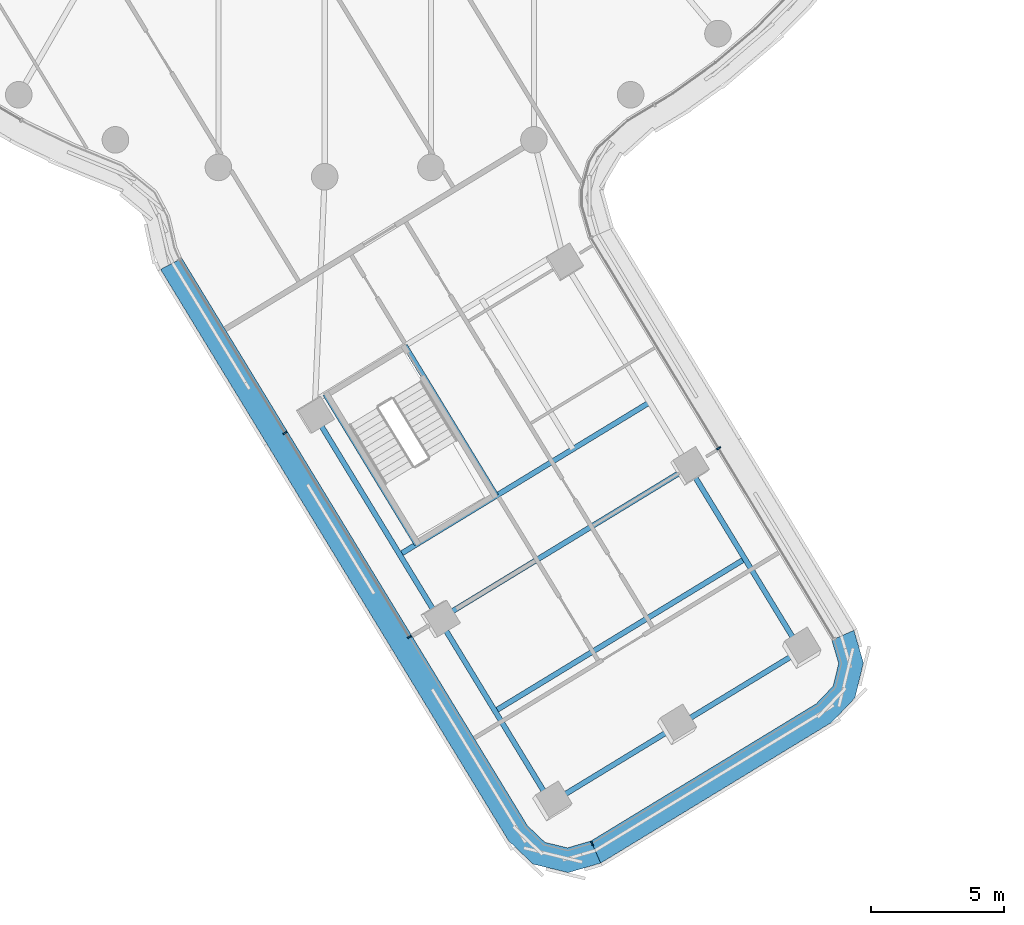
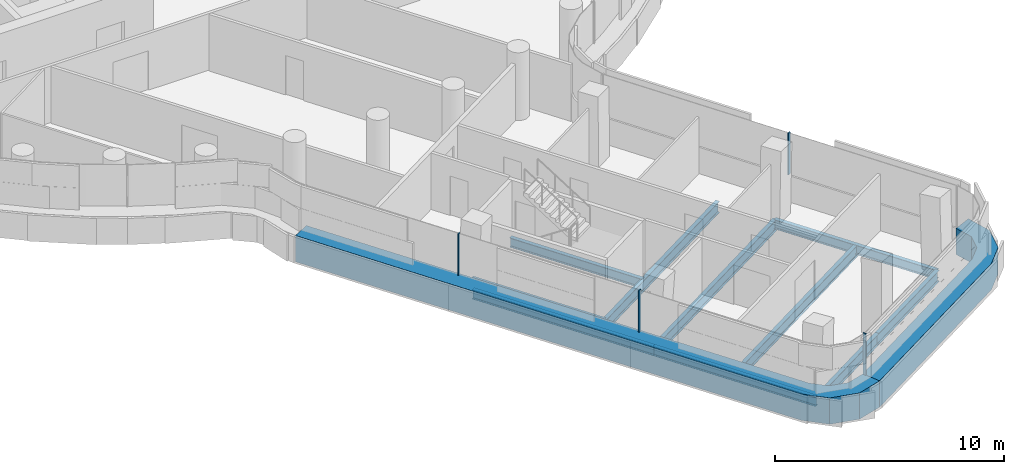
# One storey, part 3 of 35: 10 beams, 6 members, 3 elements without a shape of their own.
"""IFC4 building model written with IfcOpenShell, lengths in metres."""

import ifcopenshell
import ifcopenshell.guid

model = None  # the IFC model being written
_history = None  # IfcOwnerHistory: only IFC2X3 demands one
_inside = {}  # id of a spatial element -> (the spatial element, [elements in it])
_under = {}  # id of a project, library or spatial element -> (it, [spatial elements below it])
_declared = {}  # id of a project -> (the project, [libraries it declares])
_typed = {}  # id of a type object -> (the type object, [elements of that type])
_made_of = {}  # id of a material, layer set ... -> (it, [elements and type objects made of it])


def new_model(schema):
    """Start an empty IFC model of exactly this schema.

    Asked for "IFC4X3", IfcOpenShell would pick the latest addendum, in which some entities
    have other attributes; the version numbers below select the first issue.
    IFC2X3 requires an IfcOwnerHistory on every rooted entity: one is made here for all.
    """
    global model, _history
    if schema == "IFC4X3":
        model = ifcopenshell.file(schema_version=(4, 3, 0, 0))
    else:
        model = ifcopenshell.file(schema=schema)
    _inside.clear()
    _under.clear()
    _declared.clear()
    _typed.clear()
    _made_of.clear()
    _history = None
    if model.schema == "IFC2X3":
        org = make("IfcOrganization", Name="unknown")
        user = make(
            "IfcPersonAndOrganization",
            ThePerson=make("IfcPerson", FamilyName="unknown"),
            TheOrganization=org,
        )
        app = make(
            "IfcApplication",
            ApplicationDeveloper=org,
            Version="unknown",
            ApplicationFullName="unknown",
            ApplicationIdentifier="unknown",
        )
        _history = make(
            "IfcOwnerHistory",
            OwningUser=user,
            OwningApplication=app,
            ChangeAction="ADDED",
            CreationDate=0,
        )
    return model


def make(cls, **values):
    """One entity of the class cls with the attributes given. An attribute that is None is left unset."""
    return model.create_entity(
        cls, **{name: value for name, value in values.items() if value is not None}
    )


def rooted(cls, **values):
    """An entity with a GlobalId (a new one), such as an element, a storey or a relation."""
    return make(cls, GlobalId=ifcopenshell.guid.new(), OwnerHistory=_history, **values)


def si_unit(unit_type, name, prefix=None):
    """IfcSIUnit, for example si_unit("LENGTHUNIT", "METRE", prefix="MILLI")."""
    return make("IfcSIUnit", UnitType=unit_type, Prefix=prefix, Name=name)


def assignment(units):
    """IfcUnitAssignment: the units of a project."""
    return None if units is None else make("IfcUnitAssignment", Units=units)


def point(xyz):
    """IfcCartesianPoint."""
    return None if xyz is None else make("IfcCartesianPoint", Coordinates=xyz)


def direction(xyz):
    """IfcDirection."""
    return None if xyz is None else make("IfcDirection", DirectionRatios=xyz)


def frame(location, z_axis=None, x_axis=None):
    """IfcAxis2Placement3D, a coordinate frame: its origin and axes. An axis left out is left unset."""
    return make(
        "IfcAxis2Placement3D",
        Location=point(location),
        Axis=direction(z_axis),
        RefDirection=direction(x_axis),
    )


def frame_2d(location, x_axis=None):
    """IfcAxis2Placement2D, a coordinate frame in the plane: its origin and x axis."""
    return make(
        "IfcAxis2Placement2D", Location=point(location), RefDirection=direction(x_axis)
    )


def origin():
    """The frame at (0, 0, 0) with its axes left unset."""
    return frame((0.0, 0.0, 0.0))


def origin_2d():
    """The frame at (0, 0) in the plane with its x axis left unset."""
    return frame_2d((0.0, 0.0))


def place(relative_to, where):
    """IfcLocalPlacement: puts the frame where relative to a parent placement (None: the world)."""
    return make(
        "IfcLocalPlacement", PlacementRelTo=relative_to, RelativePlacement=where
    )


def context(
    kind, dimensions, precision=None, world=None, true_north=None, identifier=None
):
    """IfcGeometricRepresentationContext, for example the 3D "Model" context."""
    return make(
        "IfcGeometricRepresentationContext",
        ContextIdentifier=identifier,
        ContextType=kind,
        CoordinateSpaceDimension=dimensions,
        Precision=precision,
        WorldCoordinateSystem=world,
        TrueNorth=true_north,
    )


def subcontext(parent, identifier, kind, view, scale=None):
    """IfcGeometricRepresentationSubContext, for example "Body" below "Model"."""
    return make(
        "IfcGeometricRepresentationSubContext",
        ContextIdentifier=identifier,
        ContextType=kind,
        ParentContext=parent,
        TargetScale=scale,
        TargetView=view,
    )


def project(units=None, contexts=None):
    """IfcProject with its units and contexts."""
    return rooted(
        "IfcProject",
        Name="project",
        RepresentationContexts=contexts,
        UnitsInContext=assignment(units),
    )


def spatial(cls, under=None, at=None, **own):
    """A site, building, storey or space (cls), placed at a placement, below another one or the project."""
    s = rooted(cls, ObjectPlacement=at, **own)
    if under is not None:
        _under.setdefault(under.id(), (under, []))[1].append(s)
    return s


def polyline(points):
    """IfcPolyline through the points."""
    return make("IfcPolyline", Points=[point(p) for p in points])


def profile(cls, at=None, kind="AREA", **sizes):
    """A parametric profile (cls). Its sizes go by their IFC names, for example OverallWidth=200.0."""
    return make(cls, ProfileType=kind, Position=at, **sizes)


def rectangle(**sizes):
    """IfcRectangleProfileDef."""
    return profile("IfcRectangleProfileDef", **sizes)


def i_section(**sizes):
    """IfcIShapeProfileDef."""
    return profile("IfcIShapeProfileDef", **sizes)


def outline(outer, holes=None, kind="AREA"):
    """IfcArbitraryClosedProfileDef: a profile drawn as a closed curve; with holes, ...WithVoids."""
    if holes is None:
        return make("IfcArbitraryClosedProfileDef", ProfileType=kind, OuterCurve=outer)
    return make(
        "IfcArbitraryProfileDefWithVoids",
        ProfileType=kind,
        OuterCurve=outer,
        InnerCurves=holes,
    )


def extrude(swept, where, along, depth):
    """IfcExtrudedAreaSolid: the profile swept, set in the frame where, extruded along a direction by depth."""
    return make(
        "IfcExtrudedAreaSolid",
        SweptArea=swept,
        Position=where,
        ExtrudedDirection=direction(along),
        Depth=depth,
    )


def shape(context_of_items, identifier, shape_type, items):
    """IfcShapeRepresentation: the items that make up one representation, for example the "Body"."""
    return make(
        "IfcShapeRepresentation",
        ContextOfItems=context_of_items,
        RepresentationIdentifier=identifier,
        RepresentationType=shape_type,
        Items=items,
    )


def material(Name=None, Category=None):
    """IfcMaterial."""
    return make("IfcMaterial", Name=Name, Category=Category)


def layer(
    of_material, thickness, ventilated=None, Name=None, Category=None, Priority=None
):
    """IfcMaterialLayer: one layer of a wall or slab, of a material (None: an air gap)."""
    return make(
        "IfcMaterialLayer",
        Material=of_material,
        LayerThickness=thickness,
        IsVentilated=ventilated,
        Name=Name,
        Category=Category,
        Priority=Priority,
    )


def layer_set(layers, Name=None):
    """IfcMaterialLayerSet."""
    return make("IfcMaterialLayerSet", MaterialLayers=layers, LayerSetName=Name)


def material_profile(
    of_material, cross_section, Name=None, Category=None, Priority=None
):
    """IfcMaterialProfile: a cross section and its material."""
    return make(
        "IfcMaterialProfile",
        Name=Name,
        Material=of_material,
        Profile=cross_section,
        Priority=Priority,
        Category=Category,
    )


def profile_set(profiles, Name=None, composite=None):
    """IfcMaterialProfileSet."""
    return make(
        "IfcMaterialProfileSet",
        Name=Name,
        MaterialProfiles=profiles,
        CompositeProfile=composite,
    )


def made_of(thing, what):
    """Note that an element or type object is made of a material, layer set ...; save() writes the relation."""
    if what is not None:
        _made_of.setdefault(what.id(), (what, []))[1].append(thing)
    return thing


def type_object(cls, material=None, **own):
    """A type object (cls), such as IfcWallType, which elements share."""
    return made_of(rooted(cls, **own), material)


def element(
    cls,
    number,
    at=None,
    inside=None,
    cuts=None,
    type_object=None,
    material=None,
    context=None,
    identifier="Body",
    shape_type=None,
    held_by="IfcProductDefinitionShape",
    body=None,
    shapes=None,
    **own,
):
    """One element of the class cls, such as IfcWall. Its Tag is "e" and its number.

    at: its placement. inside: the storey or other place that contains it. cuts: it is an
    opening in that element (IfcRelVoidsElement). A single representation is given by context,
    identifier, shape_type and body (its items); several are given by shapes. held_by: the class
    of the entity that holds the representations. save() writes the other relations.
    """
    e = rooted(cls, Tag="e%d" % number, ObjectPlacement=at, **own)
    if body is not None:
        shapes = [shape(context, identifier, shape_type, body)]
    if shapes is not None:
        e.Representation = make(held_by, Representations=shapes)
    if inside is not None:
        _inside.setdefault(inside.id(), (inside, []))[1].append(e)
    if cuts is not None:
        rooted(
            "IfcRelVoidsElement", RelatingBuildingElement=cuts, RelatedOpeningElement=e
        )
    if type_object is not None:
        _typed.setdefault(type_object.id(), (type_object, []))[1].append(e)
    return made_of(e, material)


def aggregate(whole, parts):
    """IfcRelAggregates: a whole, such as a stair, and the parts it consists of."""
    return rooted("IfcRelAggregates", RelatingObject=whole, RelatedObjects=parts)


def save(model, path):
    """Write the relations noted so far, then the file.

    IfcRelAggregates (storeys below a building ...), IfcRelContainedInSpatialStructure (elements
    in a storey), IfcRelDefinesByType, IfcRelAssociatesMaterial and IfcRelDeclares: one each for
    every whole, place, type object, material and project.
    """
    for whole, parts in _under.values():
        aggregate(whole, parts)
    for where, things in _inside.values():
        rooted(
            "IfcRelContainedInSpatialStructure",
            RelatedElements=things,
            RelatingStructure=where,
        )
    for kind, things in _typed.values():
        rooted("IfcRelDefinesByType", RelatedObjects=things, RelatingType=kind)
    for what, things in _made_of.values():
        rooted("IfcRelAssociatesMaterial", RelatedObjects=things, RelatingMaterial=what)
    for by, libraries in _declared.values():
        rooted("IfcRelDeclares", RelatingContext=by, RelatedDefinitions=libraries)
    model.write(path)


model = new_model("IFC4")

# Units and contexts
model_context = context("Model", 3, precision=1e-05, world=origin(), true_north=direction((0.0, 1.0)))
body_context = subcontext(model_context, "Body", "Model", "MODEL_VIEW")
ifc_project = project(units=[si_unit("LENGTHUNIT", "METRE"), si_unit("AREAUNIT", "SQUARE_METRE"), si_unit("VOLUMEUNIT", "CUBIC_METRE"), si_unit("PLANEANGLEUNIT", "RADIAN"), si_unit("MASSUNIT", "GRAM", prefix="KILO")], contexts=[model_context])

# Site, building, storey
site_placement = place(None, origin())
site = spatial("IfcSite", under=ifc_project, at=site_placement, CompositionType="ELEMENT")
building_placement = place(site_placement, origin())
building = spatial("IfcBuilding", under=site, at=building_placement, Name="Tamarind Cross Interchange Tower", CompositionType="ELEMENT")
storey_placement = place(building_placement, frame((0.0, 0.0, 148.0)))
storey = spatial("IfcBuildingStorey", under=building, at=storey_placement, Name="L36", CompositionType="ELEMENT", Elevation=148.0)

# Beams
ifc_material_1 = material(Name="Steel Q355B", Category="steel")
ifc_material_profile_1 = material_profile(ifc_material_1, i_section(OverallWidth=0.198974609375, OverallDepth=0.49609375, WebThickness=0.009033203125, FlangeThickness=0.013916015625, FilletRadius=0.012939453125, at=origin_2d()), Name="HN 496x199x9x14")
ifc_profile_set_1 = profile_set([ifc_material_profile_1], Name="Steel Q355B")
beam_type_1 = type_object("IfcBeamType", Name="Composite beam HN 496x199x9x14 Q355B", PredefinedType="BEAM", material=ifc_profile_set_1)
beam_1_placement = place(storey_placement, frame((8.503173828125, -46.534423828125, -0.387939453125), z_axis=(-0.520174192858, 0.854060190551, 0.0), x_axis=(-0.854060190551, -0.520174192858, 0.0)))
element("IfcBeam", 1, at=beam_1_placement, inside=storey, type_object=beam_type_1, Name="Beam S-edgeem5", PredefinedType="BEAM", context=body_context, shape_type="SweptSolid", body=[
    extrude(i_section(OverallWidth=0.198974609375, OverallDepth=0.49609375, WebThickness=0.009033203125, FlangeThickness=0.013916015625, FilletRadius=0.012939453125, at=origin_2d()), origin(), (0.0, 0.0, 1.0), 8.076904296875),
])
beam_2_placement = place(storey_placement, frame((4.3017578125, -39.63623046875, -0.387939453125), z_axis=(-0.520181002464, 0.854056043053, 0.0), x_axis=(-0.854056043053, -0.520181002464, 0.0)))
element("IfcBeam", 2, at=beam_2_placement, inside=storey, type_object=beam_type_1, Name="Beam S-edgeem6", PredefinedType="BEAM", context=body_context, shape_type="SweptSolid", body=[
    extrude(i_section(OverallWidth=0.198974609375, OverallDepth=0.49609375, WebThickness=0.009033203125, FlangeThickness=0.013916015625, FilletRadius=0.012939453125, at=origin_2d()), origin(), (0.0, 0.0, 1.0), 9.0),
])
beam_3_placement = place(storey_placement, frame((17.89794921875, -40.8125, -0.387939453125), z_axis=(-0.520196240385, 0.854046761887, 0.0), x_axis=(-0.854046761887, -0.520196240385, 0.0)))
element("IfcBeam", 3, at=beam_3_placement, inside=storey, type_object=beam_type_1, Name="Beam S-edgeep2", PredefinedType="BEAM", context=body_context, shape_type="SweptSolid", body=[
    extrude(i_section(OverallWidth=0.198974609375, OverallDepth=0.49609375, WebThickness=0.009033203125, FlangeThickness=0.013916015625, FilletRadius=0.012939453125, at=origin_2d()), origin(), (0.0, 0.0, 1.0), 8.0771484375),
])
beam_4_placement = place(storey_placement, frame((0.026611328125, -31.17529296875, -0.387939453125), z_axis=(0.52017459203, -0.854059947432, 0.0), x_axis=(0.854059947432, 0.52017459203, 0.0)))
element("IfcBeam", 4, at=beam_4_placement, inside=storey, type_object=beam_type_1, Name="Beam S-tr0", PredefinedType="BEAM", context=body_context, shape_type="SweptSolid", body=[
    extrude(i_section(OverallWidth=0.198974609375, OverallDepth=0.49609375, WebThickness=0.009033203125, FlangeThickness=0.013916015625, FilletRadius=0.012939453125, at=origin_2d()), origin(), (0.0, 0.0, 1.0), 6.599853515625),
])
beam_5_placement = place(storey_placement, frame((3.015869140625, -29.3544921875, -0.387939453125), z_axis=(0.520158158595, -0.854069956179, 0.0), x_axis=(0.854069956179, 0.520158158595, 0.0)))
element("IfcBeam", 5, at=beam_5_placement, inside=storey, type_object=beam_type_1, Name="Beam S-tr1", PredefinedType="BEAM", context=body_context, shape_type="SweptSolid", body=[
    extrude(i_section(OverallWidth=0.198974609375, OverallDepth=0.49609375, WebThickness=0.009033203125, FlangeThickness=0.013916015625, FilletRadius=0.012939453125, at=origin_2d()), origin(), (0.0, 0.0, 1.0), 6.60009765625),
])
ifc_material_profile_2 = material_profile(ifc_material_1, i_section(OverallWidth=0.199951171875, OverallDepth=0.60009765625, WebThickness=0.010986328125, FlangeThickness=0.01708984375, FilletRadius=0.012939453125, at=origin_2d()), Name="HN 600x200x11x17")
ifc_profile_set_2 = profile_set([ifc_material_profile_2], Name="Steel Q355B")
beam_type_2 = type_object("IfcBeamType", Name="Composite beam HN 600x200x11x17 Q355B", PredefinedType="BEAM", material=ifc_profile_set_2)
beam_6_placement = place(storey_placement, frame((8.503173828125, -46.534423828125, -0.43994140625), z_axis=(0.854066520957, 0.52016379899, 0.0), x_axis=(-0.52016379899, 0.854066520957, 0.0)))
element("IfcBeam", 6, at=beam_6_placement, inside=storey, type_object=beam_type_2, Name="Beam S-tip0", PredefinedType="BEAM", context=body_context, shape_type="SweptSolid", body=[
    extrude(i_section(OverallWidth=0.199951171875, OverallDepth=0.60009765625, WebThickness=0.010986328125, FlangeThickness=0.01708984375, FilletRadius=0.012939453125, at=origin_2d()), origin(), (0.0, 0.0, 1.0), 5.5),
])
beam_7_placement = place(storey_placement, frame((13.200439453125, -43.673583984375, -0.43994140625), z_axis=(0.85405881147, 0.520176457129, 0.0), x_axis=(-0.520176457129, 0.85405881147, 0.0)))
element("IfcBeam", 7, at=beam_7_placement, inside=storey, type_object=beam_type_2, Name="Beam S-tip1", PredefinedType="BEAM", context=body_context, shape_type="SweptSolid", body=[
    extrude(i_section(OverallWidth=0.199951171875, OverallDepth=0.60009765625, WebThickness=0.010986328125, FlangeThickness=0.01708984375, FilletRadius=0.012939453125, at=origin_2d()), origin(), (0.0, 0.0, 1.0), 5.500244140625),
])
for number, where, z_axis, x_axis, name in (
    (8, (2.819091796875, -37.2021484375, -0.43994140625), (0.854062666119, 0.520170128267, 0.0), (-0.520170128267, 0.854062666119, 0.0), "Beam S-x364"),
    (9, (4.3017578125, -39.63623046875, -0.43994140625), (0.854056660655, 0.520179988456, 0.0), (-0.520179988456, 0.854056660655, 0.0), "Beam S-x393"),
    (10, (6.40234375, -43.08544921875, -0.43994140625), (0.854062666119, 0.520170128267, 0.0), (-0.520170128267, 0.854062666119, 0.0), "Beam S-x433"),
):
    element("IfcBeam", number, at=place(storey_placement, frame(where, z_axis=z_axis, x_axis=x_axis)), inside=storey, type_object=beam_type_2, Name=name, PredefinedType="BEAM", context=body_context, shape_type="SweptSolid", body=[
        extrude(i_section(OverallWidth=0.199951171875, OverallDepth=0.60009765625, WebThickness=0.010986328125, FlangeThickness=0.01708984375, FilletRadius=0.012939453125, at=origin_2d()), origin(), (0.0, 0.0, 1.0), 11.0),
    ])

# Curtain wall, member
ifc_material_2 = material(Name="Aluminium 6063-T6", Category="aluminium")
ifc_layer = layer(ifc_material_2, 0.159912109375)
ifc_layer_set = layer_set([ifc_layer], Name="Aluminium 6063-T6")
curtain_wall_type = type_object("IfcCurtainWallType", Name="Office curtain wall, 9.0 m bays", PredefinedType="NOTDEFINED", material=ifc_layer_set)
curtain_wall_1_placement = place(storey_placement, origin())
curtain_wall_1 = element("IfcCurtainWall", 11, at=curtain_wall_1_placement, inside=storey, type_object=curtain_wall_type, Name="CWS-L36-03", PredefinedType="NOTDEFINED")
ifc_material_3 = material(Name="Aluminium and insulated spandrel panel", Category="aluminium")
member_type_1 = type_object("IfcMemberType", Name="Floor-edge blade transom", PredefinedType="USERDEFINED", material=ifc_material_3)
member_1_placement = place(storey_placement, origin())
member_1 = element("IfcMember", 12, at=member_1_placement, type_object=member_type_1, Name="CWT-L36-03", ObjectType="TRANSOM", PredefinedType="USERDEFINED", context=body_context, shape_type="SweptSolid", body=[
    extrude(outline(polyline([(-5.36962890625, -26.064208984375), (7.61767578125, -47.3876953125), (8.280029296875, -48.01953125), (9.1298828125, -48.22607421875), (10.00830078125, -47.968505859375), (10.375244140625, -48.798583984375), (9.151611328125, -49.157470703125), (7.833251953125, -48.837158203125), (6.91064453125, -47.95703125), (-6.1689453125, -26.48193359375), (-5.36962890625, -26.064208984375)])), origin(), (0.0, 0.0, 1.0), 1.39990234375),
])

curtain_wall_2_placement = place(storey_placement, origin())
curtain_wall_2 = element("IfcCurtainWall", 13, at=curtain_wall_2_placement, inside=storey, type_object=curtain_wall_type, Name="CWS-L36-04", PredefinedType="NOTDEFINED")
member_2_placement = place(storey_placement, origin())
member_2 = element("IfcMember", 14, at=member_2_placement, type_object=member_type_1, Name="CWT-L36-04", ObjectType="TRANSOM", PredefinedType="USERDEFINED", context=body_context, shape_type="SweptSolid", body=[
    extrude(outline(polyline([(10.00830078125, -47.968505859375), (18.4814453125, -42.807861328125), (19.11328125, -42.1455078125), (19.31982421875, -41.295654296875), (19.06201171875, -40.4169921875), (19.892578125, -40.051025390625), (20.251220703125, -41.27392578125), (19.930908203125, -42.59228515625), (19.05078125, -43.5146484375), (10.375244140625, -48.798583984375), (10.00830078125, -47.968505859375)])), origin(), (0.0, 0.0, 1.0), 1.39990234375),
])

# Member
ifc_material_profile_3 = material_profile(ifc_material_2, rectangle(XDim=0.06005859375, YDim=0.159912109375, at=origin_2d()), Name="Mullion CW1")
ifc_profile_set_3 = profile_set([ifc_material_profile_3], Name="Aluminium 6063-T6")
member_type_2 = type_object("IfcMemberType", Name="Mullion CW1", PredefinedType="MULLION", material=ifc_profile_set_3)
member_3_placement = place(storey_placement, frame((-1.489501953125, -32.626708984375, 1.39990234375), z_axis=(0.0, 0.0, 1.0), x_axis=(0.520175135901, -0.854059616181, 0.0)))
member_3 = element("IfcMember", 15, at=member_3_placement, type_object=member_type_2, Name="CWM-L36-03-01", PredefinedType="MULLION", context=body_context, shape_type="SweptSolid", body=[
    extrude(rectangle(XDim=0.06005859375, YDim=0.159912109375, at=origin_2d()), origin(), (0.0, 0.0, 1.0), 2.210205078125),
])

member_4_placement = place(storey_placement, frame((3.1845703125, -40.30126953125, 1.39990234375), z_axis=(0.0, 0.0, 1.0), x_axis=(0.520175135901, -0.854059616181, 0.0)))
member_4 = element("IfcMember", 16, at=member_4_placement, type_object=member_type_2, Name="CWM-L36-03-02", PredefinedType="MULLION", context=body_context, shape_type="SweptSolid", body=[
    extrude(rectangle(XDim=0.06005859375, YDim=0.159912109375, at=origin_2d()), origin(), (0.0, 0.0, 1.0), 2.210205078125),
])

aggregate(curtain_wall_1, [member_3, member_4, member_1])

member_5_placement = place(storey_placement, frame((10.049072265625, -48.060546875, 1.39990234375), z_axis=(0.0, 0.0, 1.0), x_axis=(0.914649497546, 0.404247815874, 0.0)))
member_5 = element("IfcMember", 17, at=member_5_placement, type_object=member_type_2, Name="CWM-L36-04-00", PredefinedType="MULLION", context=body_context, shape_type="SweptSolid", body=[
    extrude(rectangle(XDim=0.06005859375, YDim=0.159912109375, at=origin_2d()), origin(), (0.0, 0.0, 1.0), 2.210205078125),
])

aggregate(curtain_wall_2, [member_5, member_2])

# Curtain wall, member
curtain_wall_3_placement = place(storey_placement, origin())
curtain_wall_3 = element("IfcCurtainWall", 18, at=curtain_wall_3_placement, inside=storey, type_object=curtain_wall_type, Name="CWS-L36-05", PredefinedType="NOTDEFINED")
member_6_placement = place(storey_placement, frame((14.807373046875, -33.2060546875, 1.39990234375), z_axis=(0.0, 0.0, 1.0), x_axis=(-0.518424670848, 0.855123301434, 0.0)))
member_6 = element("IfcMember", 19, at=member_6_placement, type_object=member_type_2, Name="CWM-L36-05-01", PredefinedType="MULLION", context=body_context, shape_type="SweptSolid", body=[
    extrude(rectangle(XDim=0.06005859375, YDim=0.159912109375, at=origin_2d()), origin(), (0.0, 0.0, 1.0), 2.210205078125),
])
aggregate(curtain_wall_3, [member_6])

save(model, "model.ifc")
